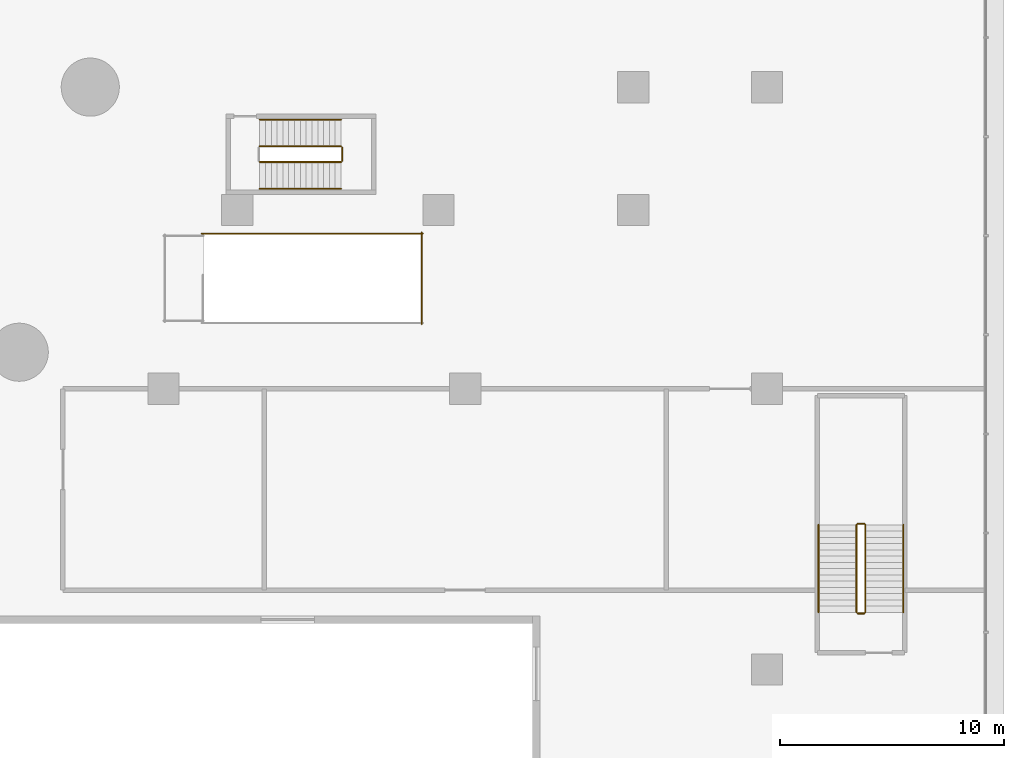
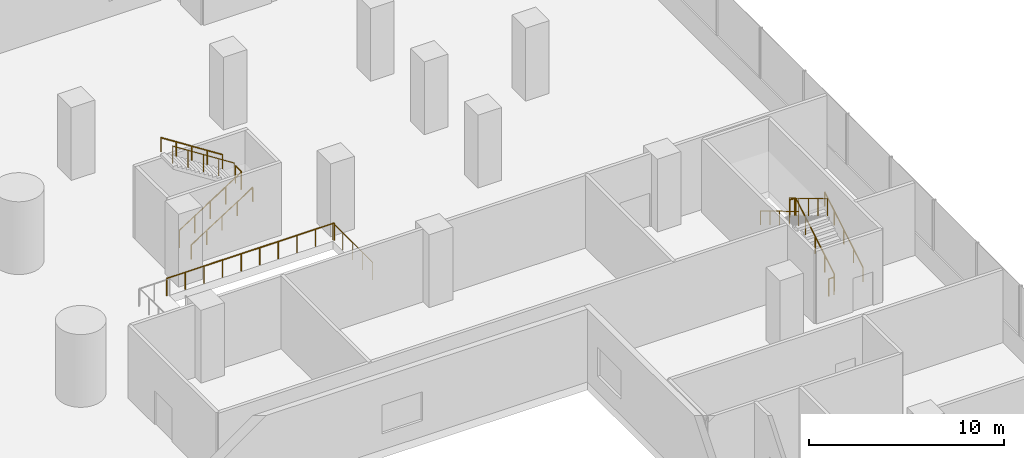
# One storey, part 35 of 38: 13 railings.
"""IFC4 building model written with IfcOpenShell, lengths in metres."""

from ifc_helpers import new_model, si_unit, direction, frame, origin, origin_2d, place, context, subcontext, project, spatial, circle, extrude, material, type_object, element, save


model = new_model("IFC4")

# Units and contexts
model_context = context("Model", 3, precision=1e-05, world=origin(), true_north=direction((0.0, 1.0)))
body_context = subcontext(model_context, "Body", "Model", "MODEL_VIEW")
ifc_project = project(units=[si_unit("LENGTHUNIT", "METRE"), si_unit("AREAUNIT", "SQUARE_METRE"), si_unit("VOLUMEUNIT", "CUBIC_METRE"), si_unit("PLANEANGLEUNIT", "RADIAN"), si_unit("MASSUNIT", "GRAM", prefix="KILO")], contexts=[model_context])

# Site, building, storey
site_placement = place(None, origin())
site = spatial("IfcSite", under=ifc_project, at=site_placement, CompositionType="ELEMENT")
building_placement = place(site_placement, origin())
building = spatial("IfcBuilding", under=site, at=building_placement, Name="Tamarind Cross Interchange Tower", CompositionType="ELEMENT")
storey_placement = place(building_placement, frame((0.0, 0.0, 20.0)))
storey = spatial("IfcBuildingStorey", under=building, at=storey_placement, Name="L03", CompositionType="ELEMENT", Elevation=20.0)

# Railings
ifc_material_1 = material(Name="Public stair guard")
railing_type_1 = type_object("IfcRailingType", Name="Public stair guard", PredefinedType="GUARDRAIL", material=ifc_material_1)
railing_1_placement = place(storey_placement, frame((28.699951171875, -6.550048828125, 0.0)))
element("IfcRailing", 1, at=railing_1_placement, inside=storey, type_object=railing_type_1, Name="L03 PS-E top well guard 3", PredefinedType="GUARDRAIL", context=body_context, shape_type="SweptSolid", body=[
    extrude(circle(Radius=0.02392578125, at=origin_2d()), frame((0.0, 0.0, 1.076171875), z_axis=(1.0, 0.0, 0.0), x_axis=(0.0, 1.0, 0.0)), (0.0, 0.0, 1.0), 9.900146484375),
    extrude(circle(Radius=0.02099609375, at=origin_2d()), origin(), (0.0, 0.0, 1.0), 1.052001953125),
    extrude(circle(Radius=0.02099609375, at=origin_2d()), frame((1.10009765625, 0.0, 0.0)), (0.0, 0.0, 1.0), 1.052001953125),
    extrude(circle(Radius=0.02099609375, at=origin_2d()), frame((2.199951171875, 0.0, 0.0)), (0.0, 0.0, 1.0), 1.052001953125),
    extrude(circle(Radius=0.02099609375, at=origin_2d()), frame((3.300048828125, 0.0, 0.0)), (0.0, 0.0, 1.0), 1.052001953125),
    extrude(circle(Radius=0.02099609375, at=origin_2d()), frame((4.400146484375, 0.0, 0.0)), (0.0, 0.0, 1.0), 1.052001953125),
    extrude(circle(Radius=0.02099609375, at=origin_2d()), frame((5.5, 0.0, 0.0)), (0.0, 0.0, 1.0), 1.052001953125),
    extrude(circle(Radius=0.02099609375, at=origin_2d()), frame((6.60009765625, 0.0, 0.0)), (0.0, 0.0, 1.0), 1.052001953125),
    extrude(circle(Radius=0.02099609375, at=origin_2d()), frame((7.7001953125, 0.0, 0.0)), (0.0, 0.0, 1.0), 1.052001953125),
    extrude(circle(Radius=0.02099609375, at=origin_2d()), frame((8.800048828125, 0.0, 0.0)), (0.0, 0.0, 1.0), 1.052001953125),
    extrude(circle(Radius=0.02099609375, at=origin_2d()), frame((9.900146484375, 0.0, 0.0)), (0.0, 0.0, 1.0), 1.052001953125),
])
railing_2_placement = place(storey_placement, frame((38.550048828125, -10.60009765625, 0.0)))
element("IfcRailing", 2, at=railing_2_placement, inside=storey, type_object=railing_type_1, Name="L03 PS-E top well guard 4", PredefinedType="GUARDRAIL", context=body_context, shape_type="SweptSolid", body=[
    extrude(circle(Radius=0.02392578125, at=origin_2d()), frame((0.0, 0.0, 1.076171875), z_axis=(0.0, 1.0, 0.0), x_axis=(-1.0, 0.0, 0.0)), (0.0, 0.0, 1.0), 4.10009765625),
    extrude(circle(Radius=0.02099609375, at=origin_2d()), origin(), (0.0, 0.0, 1.0), 1.052001953125),
    extrude(circle(Radius=0.02099609375, at=origin_2d()), frame((0.0, 1.02490234375, 0.0)), (0.0, 0.0, 1.0), 1.052001953125),
    extrude(circle(Radius=0.02099609375, at=origin_2d()), frame((0.0, 2.050048828125, 0.0)), (0.0, 0.0, 1.0), 1.052001953125),
    extrude(circle(Radius=0.02099609375, at=origin_2d()), frame((0.0, 3.0751953125, 0.0)), (0.0, 0.0, 1.0), 1.052001953125),
    extrude(circle(Radius=0.02099609375, at=origin_2d()), frame((0.0, 4.10009765625, 0.0)), (0.0, 0.0, 1.0), 1.052001953125),
])
railing_3_placement = place(storey_placement, frame((58.39990234375, -23.5, 0.166748046875)))
element("IfcRailing", 3, at=railing_3_placement, inside=storey, type_object=railing_type_1, Name="L03 XS-P11 stair guard 1", PredefinedType="GUARDRAIL", context=body_context, shape_type="SweptSolid", body=[
    extrude(circle(Radius=0.02392578125, at=origin_2d()), frame((0.0, 0.0, 1.076171875), z_axis=(0.0, 0.859296244711, 0.511478214419), x_axis=(-1.0, 0.0, 0.0)), (0.0, 0.0, 1.0), 4.561767578125),
    extrude(circle(Radius=0.02099609375, at=origin_2d()), origin(), (0.0, 0.0, 1.0), 1.052001953125),
    extrude(circle(Radius=0.02099609375, at=origin_2d()), frame((0.0, 0.97998046875, 0.583251953125)), (0.0, 0.0, 1.0), 1.052001953125),
    extrude(circle(Radius=0.02099609375, at=origin_2d()), frame((0.0, 1.9599609375, 1.16650390625)), (0.0, 0.0, 1.0), 1.052001953125),
    extrude(circle(Radius=0.02099609375, at=origin_2d()), frame((0.0, 2.93994140625, 1.75)), (0.0, 0.0, 1.0), 1.052001953125),
    extrude(circle(Radius=0.02099609375, at=origin_2d()), frame((0.0, 3.919921875, 2.333251953125)), (0.0, 0.0, 1.0), 1.052001953125),
])
railing_4_placement = place(storey_placement, frame((58.35009765625, -19.530029296875, 2.5)))
element("IfcRailing", 4, at=railing_4_placement, inside=storey, type_object=railing_type_1, Name="L03 XS-P11 stair guard 2", PredefinedType="GUARDRAIL", context=body_context, shape_type="SweptSolid", body=[
    extrude(circle(Radius=0.02392578125, at=origin_2d()), frame((0.0, 0.0, 1.076171875), z_axis=(-1.0, 0.0, 0.0), x_axis=(0.0, -1.0, 0.0)), (0.0, 0.0, 1.0), 0.300048828125),
    extrude(circle(Radius=0.02099609375, at=origin_2d()), origin(), (0.0, 0.0, 1.0), 1.052001953125),
    extrude(circle(Radius=0.02099609375, at=origin_2d()), frame((-0.300048828125, 0.0, 0.0)), (0.0, 0.0, 1.0), 1.052001953125),
])
railing_5_placement = place(storey_placement, frame((58.0, -19.580078125, 2.666748046875)))
element("IfcRailing", 5, at=railing_5_placement, inside=storey, type_object=railing_type_1, Name="L03 XS-P11 stair guard 3", PredefinedType="GUARDRAIL", context=body_context, shape_type="SweptSolid", body=[
    extrude(circle(Radius=0.02392578125, at=origin_2d()), frame((0.0, 0.0, 1.076171875), z_axis=(0.0, -0.859296244711, 0.511478214419), x_axis=(1.0, 0.0, 0.0)), (0.0, 0.0, 1.0), 4.561767578125),
    extrude(circle(Radius=0.02099609375, at=origin_2d()), origin(), (0.0, 0.0, 1.0), 1.052001953125),
    extrude(circle(Radius=0.02099609375, at=origin_2d()), frame((0.0, -0.97998046875, 0.583251953125)), (0.0, 0.0, 1.0), 1.052001953125),
    extrude(circle(Radius=0.02099609375, at=origin_2d()), frame((0.0, -1.9599609375, 1.16650390625)), (0.0, 0.0, 1.0), 1.052001953125),
    extrude(circle(Radius=0.02099609375, at=origin_2d()), frame((0.0, -2.93994140625, 1.75)), (0.0, 0.0, 1.0), 1.052001953125),
    extrude(circle(Radius=0.02099609375, at=origin_2d()), frame((0.0, -3.919921875, 2.333251953125)), (0.0, 0.0, 1.0), 1.052001953125),
])
railing_6_placement = place(storey_placement, frame((58.35009765625, -23.550048828125, 0.0)))
element("IfcRailing", 6, at=railing_6_placement, inside=storey, type_object=railing_type_1, Name="L03 XS-P11 stair guard 4", PredefinedType="GUARDRAIL", context=body_context, shape_type="SweptSolid", body=[
    extrude(circle(Radius=0.02392578125, at=origin_2d()), frame((0.0, 0.0, 1.076171875), z_axis=(-1.0, 0.0, 0.0), x_axis=(0.0, -1.0, 0.0)), (0.0, 0.0, 1.0), 0.300048828125),
    extrude(circle(Radius=0.02099609375, at=origin_2d()), origin(), (0.0, 0.0, 1.0), 1.052001953125),
    extrude(circle(Radius=0.02099609375, at=origin_2d()), frame((-0.300048828125, 0.0, 0.0)), (0.0, 0.0, 1.0), 1.052001953125),
])
ifc_material_2 = material(Name="Public stair handrail")
railing_type_2 = type_object("IfcRailingType", Name="Public stair handrail", PredefinedType="HANDRAIL", material=ifc_material_2)
railing_7_placement = place(storey_placement, frame((60.10009765625, -23.5, 0.166748046875)))
element("IfcRailing", 7, at=railing_7_placement, inside=storey, type_object=railing_type_2, Name="L03 XS-P11 stair handrail 1", PredefinedType="HANDRAIL", context=body_context, shape_type="SweptSolid", body=[
    extrude(circle(Radius=0.02392578125, at=origin_2d()), frame((0.0, 0.0, 0.8759765625), z_axis=(0.0, 0.859296244711, 0.511478214419), x_axis=(-1.0, 0.0, 0.0)), (0.0, 0.0, 1.0), 4.561767578125),
    extrude(circle(Radius=0.02099609375, at=origin_2d()), origin(), (0.0, 0.0, 1.0), 0.851806640625),
    extrude(circle(Radius=0.02099609375, at=origin_2d()), frame((0.0, 0.97998046875, 0.583251953125)), (0.0, 0.0, 1.0), 0.851806640625),
    extrude(circle(Radius=0.02099609375, at=origin_2d()), frame((0.0, 1.9599609375, 1.16650390625)), (0.0, 0.0, 1.0), 0.851806640625),
    extrude(circle(Radius=0.02099609375, at=origin_2d()), frame((0.0, 2.93994140625, 1.75)), (0.0, 0.0, 1.0), 0.851806640625),
    extrude(circle(Radius=0.02099609375, at=origin_2d()), frame((0.0, 3.919921875, 2.333251953125)), (0.0, 0.0, 1.0), 0.851806640625),
])
railing_8_placement = place(storey_placement, frame((56.300048828125, -19.580078125, 2.666748046875)))
element("IfcRailing", 8, at=railing_8_placement, inside=storey, type_object=railing_type_2, Name="L03 XS-P11 stair handrail 2", PredefinedType="HANDRAIL", context=body_context, shape_type="SweptSolid", body=[
    extrude(circle(Radius=0.02392578125, at=origin_2d()), frame((0.0, 0.0, 0.8759765625), z_axis=(0.0, -0.859296244711, 0.511478214419), x_axis=(1.0, 0.0, 0.0)), (0.0, 0.0, 1.0), 4.561767578125),
    extrude(circle(Radius=0.02099609375, at=origin_2d()), origin(), (0.0, 0.0, 1.0), 0.851806640625),
    extrude(circle(Radius=0.02099609375, at=origin_2d()), frame((0.0, -0.97998046875, 0.583251953125)), (0.0, 0.0, 1.0), 0.851806640625),
    extrude(circle(Radius=0.02099609375, at=origin_2d()), frame((0.0, -1.9599609375, 1.16650390625)), (0.0, 0.0, 1.0), 0.851806640625),
    extrude(circle(Radius=0.02099609375, at=origin_2d()), frame((0.0, -2.93994140625, 1.75)), (0.0, 0.0, 1.0), 0.851806640625),
    extrude(circle(Radius=0.02099609375, at=origin_2d()), frame((0.0, -3.919921875, 2.333251953125)), (0.0, 0.0, 1.0), 0.851806640625),
])
ifc_material_3 = material(Name="Stair guard")
railing_type_3 = type_object("IfcRailingType", Name="Stair guard", PredefinedType="GUARDRAIL", material=ifc_material_3)
railing_9_placement = place(storey_placement, frame((31.300048828125, -3.35009765625, 0.166748046875)))
element("IfcRailing", 9, at=railing_9_placement, inside=storey, type_object=railing_type_3, Name="L03 ST3 stair guard 1", PredefinedType="GUARDRAIL", context=body_context, shape_type="SweptSolid", body=[
    extrude(circle(Radius=0.02392578125, at=origin_2d()), frame((0.0, 0.0, 1.076171875), z_axis=(0.841880454617, 0.0, 0.539664062296), x_axis=(0.0, 1.0, 0.0)), (0.0, 0.0, 1.0), 4.323486328125),
    extrude(circle(Radius=0.02099609375, at=origin_2d()), origin(), (0.0, 0.0, 1.0), 1.052001953125),
    extrude(circle(Radius=0.02099609375, at=origin_2d()), frame((0.909912109375, 0.0, 0.583251953125)), (0.0, 0.0, 1.0), 1.052001953125),
    extrude(circle(Radius=0.02099609375, at=origin_2d()), frame((1.81982421875, 0.0, 1.16650390625)), (0.0, 0.0, 1.0), 1.052001953125),
    extrude(circle(Radius=0.02099609375, at=origin_2d()), frame((2.72998046875, 0.0, 1.75)), (0.0, 0.0, 1.0), 1.052001953125),
    extrude(circle(Radius=0.02099609375, at=origin_2d()), frame((3.639892578125, 0.0, 2.333251953125)), (0.0, 0.0, 1.0), 1.052001953125),
])
railing_10_placement = place(storey_placement, frame((34.989990234375, -3.300048828125, 2.5)))
element("IfcRailing", 10, at=railing_10_placement, inside=storey, type_object=railing_type_3, Name="L03 ST3 stair guard 2", PredefinedType="GUARDRAIL", context=body_context, shape_type="SweptSolid", body=[
    extrude(circle(Radius=0.02392578125, at=origin_2d()), frame((0.0, 0.0, 1.076171875), z_axis=(0.0, 1.0, 0.0), x_axis=(-1.0, 0.0, 0.0)), (0.0, 0.0, 1.0), 0.60009765625),
    extrude(circle(Radius=0.02099609375, at=origin_2d()), origin(), (0.0, 0.0, 1.0), 1.052001953125),
    extrude(circle(Radius=0.02099609375, at=origin_2d()), frame((0.0, 0.60009765625, 0.0)), (0.0, 0.0, 1.0), 1.052001953125),
])
railing_11_placement = place(storey_placement, frame((34.93994140625, -2.64990234375, 2.666748046875)))
element("IfcRailing", 11, at=railing_11_placement, inside=storey, type_object=railing_type_3, Name="L03 ST3 stair guard 3", PredefinedType="GUARDRAIL", context=body_context, shape_type="SweptSolid", body=[
    extrude(circle(Radius=0.02392578125, at=origin_2d()), frame((0.0, 0.0, 1.076171875), z_axis=(-0.841880454617, 0.0, 0.539664062296), x_axis=(0.0, -1.0, 0.0)), (0.0, 0.0, 1.0), 4.323486328125),
    extrude(circle(Radius=0.02099609375, at=origin_2d()), origin(), (0.0, 0.0, 1.0), 1.052001953125),
    extrude(circle(Radius=0.02099609375, at=origin_2d()), frame((-0.909912109375, 0.0, 0.583251953125)), (0.0, 0.0, 1.0), 1.052001953125),
    extrude(circle(Radius=0.02099609375, at=origin_2d()), frame((-1.81982421875, 0.0, 1.16650390625)), (0.0, 0.0, 1.0), 1.052001953125),
    extrude(circle(Radius=0.02099609375, at=origin_2d()), frame((-2.72998046875, 0.0, 1.75)), (0.0, 0.0, 1.0), 1.052001953125),
    extrude(circle(Radius=0.02099609375, at=origin_2d()), frame((-3.639892578125, 0.0, 2.333251953125)), (0.0, 0.0, 1.0), 1.052001953125),
])
ifc_material_4 = material(Name="Stair handrail")
railing_type_4 = type_object("IfcRailingType", Name="Stair handrail", PredefinedType="HANDRAIL", material=ifc_material_4)
railing_12_placement = place(storey_placement, frame((31.300048828125, -4.550048828125, 0.166748046875)))
element("IfcRailing", 12, at=railing_12_placement, inside=storey, type_object=railing_type_4, Name="L03 ST3 stair handrail 1", PredefinedType="HANDRAIL", context=body_context, shape_type="SweptSolid", body=[
    extrude(circle(Radius=0.02392578125, at=origin_2d()), frame((0.0, 0.0, 0.8759765625), z_axis=(0.841880454617, 0.0, 0.539664062296), x_axis=(0.0, 1.0, 0.0)), (0.0, 0.0, 1.0), 4.323486328125),
    extrude(circle(Radius=0.02099609375, at=origin_2d()), origin(), (0.0, 0.0, 1.0), 0.851806640625),
    extrude(circle(Radius=0.02099609375, at=origin_2d()), frame((0.909912109375, 0.0, 0.583251953125)), (0.0, 0.0, 1.0), 0.851806640625),
    extrude(circle(Radius=0.02099609375, at=origin_2d()), frame((1.81982421875, 0.0, 1.16650390625)), (0.0, 0.0, 1.0), 0.851806640625),
    extrude(circle(Radius=0.02099609375, at=origin_2d()), frame((2.72998046875, 0.0, 1.75)), (0.0, 0.0, 1.0), 0.851806640625),
    extrude(circle(Radius=0.02099609375, at=origin_2d()), frame((3.639892578125, 0.0, 2.333251953125)), (0.0, 0.0, 1.0), 0.851806640625),
])
railing_13_placement = place(storey_placement, frame((34.93994140625, -1.449951171875, 2.666748046875)))
element("IfcRailing", 13, at=railing_13_placement, inside=storey, type_object=railing_type_4, Name="L03 ST3 stair handrail 2", PredefinedType="HANDRAIL", context=body_context, shape_type="SweptSolid", body=[
    extrude(circle(Radius=0.02392578125, at=origin_2d()), frame((0.0, 0.0, 0.8759765625), z_axis=(-0.841880454617, 0.0, 0.539664062296), x_axis=(0.0, -1.0, 0.0)), (0.0, 0.0, 1.0), 4.323486328125),
    extrude(circle(Radius=0.02099609375, at=origin_2d()), origin(), (0.0, 0.0, 1.0), 0.851806640625),
    extrude(circle(Radius=0.02099609375, at=origin_2d()), frame((-0.909912109375, 0.0, 0.583251953125)), (0.0, 0.0, 1.0), 0.851806640625),
    extrude(circle(Radius=0.02099609375, at=origin_2d()), frame((-1.81982421875, 0.0, 1.16650390625)), (0.0, 0.0, 1.0), 0.851806640625),
    extrude(circle(Radius=0.02099609375, at=origin_2d()), frame((-2.72998046875, 0.0, 1.75)), (0.0, 0.0, 1.0), 0.851806640625),
    extrude(circle(Radius=0.02099609375, at=origin_2d()), frame((-3.639892578125, 0.0, 2.333251953125)), (0.0, 0.0, 1.0), 0.851806640625),
])

save(model, "model.ifc")
